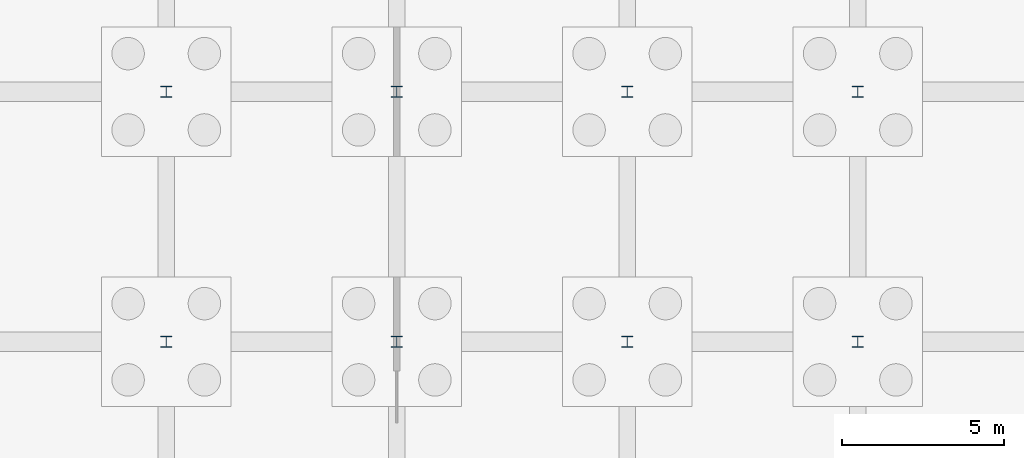
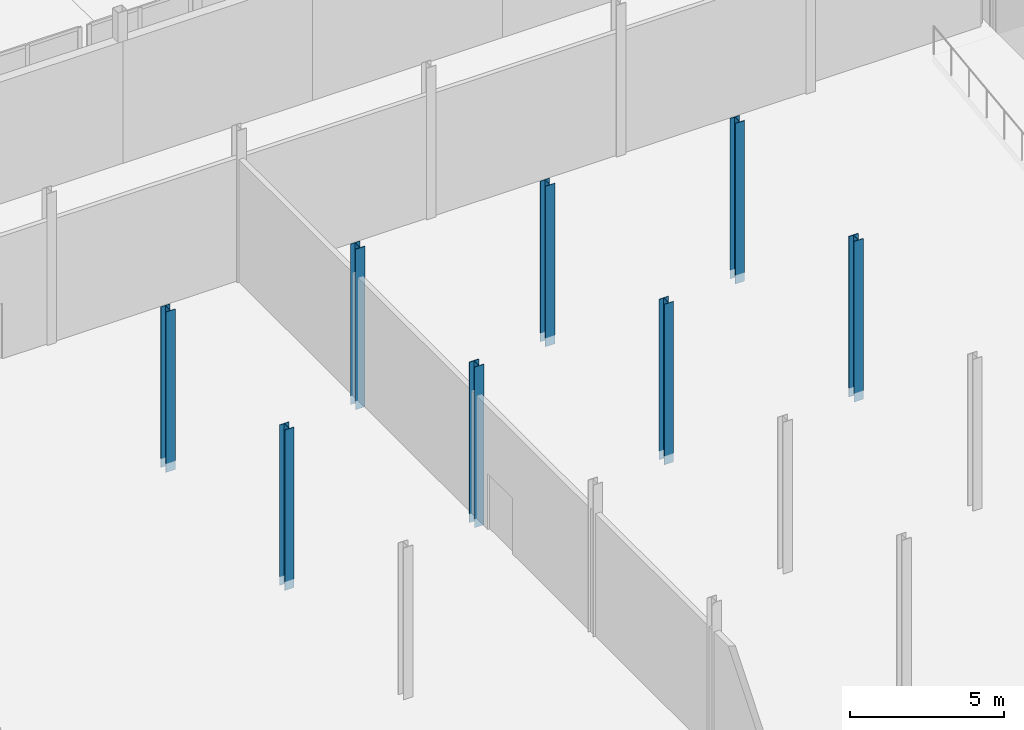
# One storey, part 37 of 139: 8 columns.
"""IFC4 building model written with IfcOpenShell, lengths in metres."""

from ifc_helpers import new_model, si_unit, direction, frame, origin, origin_2d, place, context, subcontext, project, spatial, i_section, extrude, material, material_profile, profile_set, type_object, element, save


model = new_model("IFC4")

# Units and contexts
model_context = context("Model", 3, precision=1e-05, world=origin(), true_north=direction((0.0, 1.0)))
body_context = subcontext(model_context, "Body", "Model", "MODEL_VIEW")
ifc_project = project(units=[si_unit("LENGTHUNIT", "METRE"), si_unit("AREAUNIT", "SQUARE_METRE"), si_unit("VOLUMEUNIT", "CUBIC_METRE"), si_unit("PLANEANGLEUNIT", "RADIAN"), si_unit("MASSUNIT", "GRAM", prefix="KILO")], contexts=[model_context])

# Site, building, storey
site_placement = place(None, origin())
site = spatial("IfcSite", under=ifc_project, at=site_placement, CompositionType="ELEMENT")
building_placement = place(site_placement, origin())
building = spatial("IfcBuilding", under=site, at=building_placement, Name="Kazenagashi Tramway Depot", CompositionType="ELEMENT")
storey_placement = place(building_placement, origin())
storey = spatial("IfcBuildingStorey", under=building, at=storey_placement, Name="L01", CompositionType="ELEMENT", Elevation=0.0)

# Columns
ifc_material = material(Name="Steel SN490B", Category="steel")
ifc_material_profile = material_profile(ifc_material, i_section(OverallWidth=0.35, OverallDepth=0.35, WebThickness=0.012, FlangeThickness=0.019, at=origin_2d()), Name="H-350x350x12x19")
ifc_profile_set = profile_set([ifc_material_profile], Name="Steel SN490B")
column_type = type_object("IfcColumnType", Name="C-04", PredefinedType="COLUMN", material=ifc_profile_set)
for number, where, z_axis, x_axis, name in (
    (1, (160.5, 46.2, -0.35), (0.0, 0.0, 1.0), (1.0, 0.0, 0.0), "Column C-04 COL-0407"),
    (2, (160.5, 53.9, -0.35), (0.0, 0.0, 1.0), (1.0, 0.0, 0.0), "Column C-04 COL-0410"),
    (3, (167.6, 46.2, -0.35), (0.0, 0.0, 1.0), (1.0, 0.0, 0.0), "Column C-04 COL-0432"),
    (4, (167.6, 53.9, -0.35), (0.0, 0.0, 1.0), (1.0, 0.0, 0.0), "Column C-04 COL-0435"),
    (5, (174.7, 46.2, -0.35), (0.0, 0.0, 1.0), (1.0, 0.0, 0.0), "Column C-04 COL-0457"),
    (6, (174.7, 53.9, -0.35), (0.0, 0.0, 1.0), (1.0, 0.0, 0.0), "Column C-04 COL-0460"),
    (7, (181.8, 46.2, -0.35), (0.0, 0.0, 1.0), (1.0, 0.0, 0.0), "Column C-04 COL-0482"),
    (8, (181.8, 53.9, -0.35), (0.0, 0.0, 1.0), (1.0, 0.0, 0.0), "Column C-04 COL-0485"),
):
    element("IfcColumn", number, at=place(storey_placement, frame(where, z_axis=z_axis, x_axis=x_axis)), inside=storey, type_object=column_type, Name=name, PredefinedType="COLUMN", context=body_context, shape_type="SweptSolid", body=[
        extrude(i_section(OverallWidth=0.35, OverallDepth=0.35, WebThickness=0.012, FlangeThickness=0.019, at=origin_2d()), origin(), (0.0, 0.0, 1.0), 6.35),
    ])

save(model, "model.ifc")
